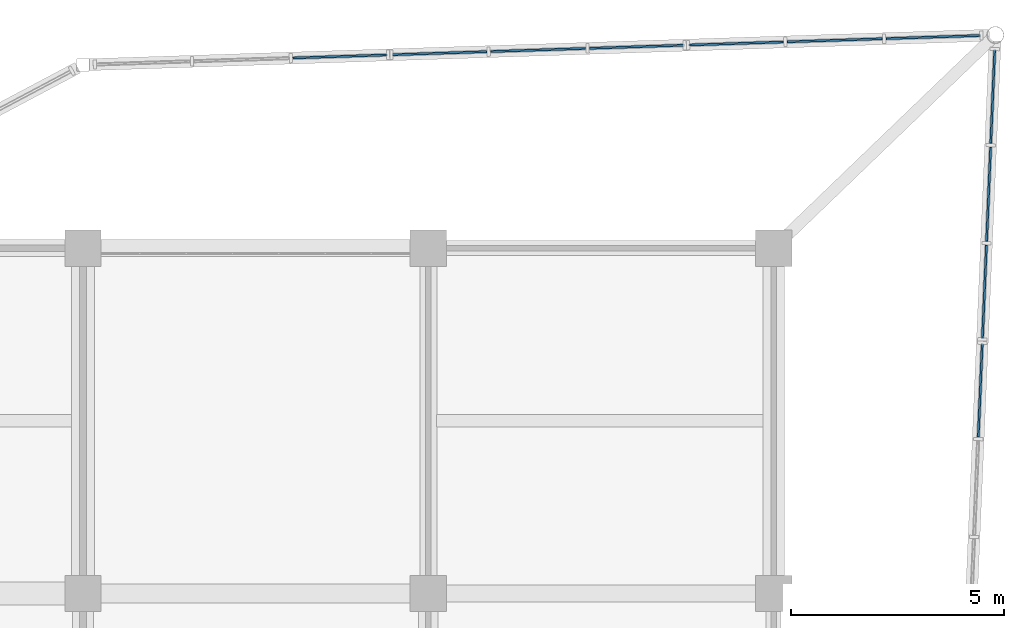
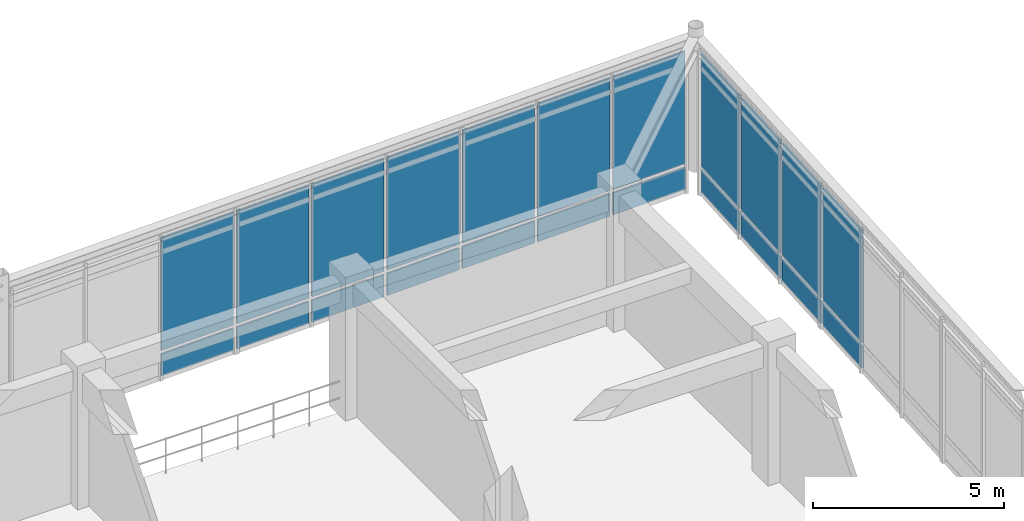
# One storey, part 58 of 93: 22 plates, 5 elements without a shape of their own.
"""IFC4 building model written with IfcOpenShell, lengths in metres."""

import ifcopenshell
import ifcopenshell.guid

model = None  # the IFC model being written
_history = None  # IfcOwnerHistory: only IFC2X3 demands one
_inside = {}  # id of a spatial element -> (the spatial element, [elements in it])
_under = {}  # id of a project, library or spatial element -> (it, [spatial elements below it])
_declared = {}  # id of a project -> (the project, [libraries it declares])
_typed = {}  # id of a type object -> (the type object, [elements of that type])
_made_of = {}  # id of a material, layer set ... -> (it, [elements and type objects made of it])


def new_model(schema):
    """Start an empty IFC model of exactly this schema.

    Asked for "IFC4X3", IfcOpenShell would pick the latest addendum, in which some entities
    have other attributes; the version numbers below select the first issue.
    IFC2X3 requires an IfcOwnerHistory on every rooted entity: one is made here for all.
    """
    global model, _history
    if schema == "IFC4X3":
        model = ifcopenshell.file(schema_version=(4, 3, 0, 0))
    else:
        model = ifcopenshell.file(schema=schema)
    _inside.clear()
    _under.clear()
    _declared.clear()
    _typed.clear()
    _made_of.clear()
    _history = None
    if model.schema == "IFC2X3":
        org = make("IfcOrganization", Name="unknown")
        user = make(
            "IfcPersonAndOrganization",
            ThePerson=make("IfcPerson", FamilyName="unknown"),
            TheOrganization=org,
        )
        app = make(
            "IfcApplication",
            ApplicationDeveloper=org,
            Version="unknown",
            ApplicationFullName="unknown",
            ApplicationIdentifier="unknown",
        )
        _history = make(
            "IfcOwnerHistory",
            OwningUser=user,
            OwningApplication=app,
            ChangeAction="ADDED",
            CreationDate=0,
        )
    return model


def make(cls, **values):
    """One entity of the class cls with the attributes given. An attribute that is None is left unset."""
    return model.create_entity(
        cls, **{name: value for name, value in values.items() if value is not None}
    )


def rooted(cls, **values):
    """An entity with a GlobalId (a new one), such as an element, a storey or a relation."""
    return make(cls, GlobalId=ifcopenshell.guid.new(), OwnerHistory=_history, **values)


def si_unit(unit_type, name, prefix=None):
    """IfcSIUnit, for example si_unit("LENGTHUNIT", "METRE", prefix="MILLI")."""
    return make("IfcSIUnit", UnitType=unit_type, Prefix=prefix, Name=name)


def assignment(units):
    """IfcUnitAssignment: the units of a project."""
    return None if units is None else make("IfcUnitAssignment", Units=units)


def point(xyz):
    """IfcCartesianPoint."""
    return None if xyz is None else make("IfcCartesianPoint", Coordinates=xyz)


def direction(xyz):
    """IfcDirection."""
    return None if xyz is None else make("IfcDirection", DirectionRatios=xyz)


def frame(location, z_axis=None, x_axis=None):
    """IfcAxis2Placement3D, a coordinate frame: its origin and axes. An axis left out is left unset."""
    return make(
        "IfcAxis2Placement3D",
        Location=point(location),
        Axis=direction(z_axis),
        RefDirection=direction(x_axis),
    )


def frame_2d(location, x_axis=None):
    """IfcAxis2Placement2D, a coordinate frame in the plane: its origin and x axis."""
    return make(
        "IfcAxis2Placement2D", Location=point(location), RefDirection=direction(x_axis)
    )


def origin():
    """The frame at (0, 0, 0) with its axes left unset."""
    return frame((0.0, 0.0, 0.0))


def origin_2d():
    """The frame at (0, 0) in the plane with its x axis left unset."""
    return frame_2d((0.0, 0.0))


def place(relative_to, where):
    """IfcLocalPlacement: puts the frame where relative to a parent placement (None: the world)."""
    return make(
        "IfcLocalPlacement", PlacementRelTo=relative_to, RelativePlacement=where
    )


def context(
    kind, dimensions, precision=None, world=None, true_north=None, identifier=None
):
    """IfcGeometricRepresentationContext, for example the 3D "Model" context."""
    return make(
        "IfcGeometricRepresentationContext",
        ContextIdentifier=identifier,
        ContextType=kind,
        CoordinateSpaceDimension=dimensions,
        Precision=precision,
        WorldCoordinateSystem=world,
        TrueNorth=true_north,
    )


def subcontext(parent, identifier, kind, view, scale=None):
    """IfcGeometricRepresentationSubContext, for example "Body" below "Model"."""
    return make(
        "IfcGeometricRepresentationSubContext",
        ContextIdentifier=identifier,
        ContextType=kind,
        ParentContext=parent,
        TargetScale=scale,
        TargetView=view,
    )


def project(units=None, contexts=None):
    """IfcProject with its units and contexts."""
    return rooted(
        "IfcProject",
        Name="project",
        RepresentationContexts=contexts,
        UnitsInContext=assignment(units),
    )


def spatial(cls, under=None, at=None, **own):
    """A site, building, storey or space (cls), placed at a placement, below another one or the project."""
    s = rooted(cls, ObjectPlacement=at, **own)
    if under is not None:
        _under.setdefault(under.id(), (under, []))[1].append(s)
    return s


def profile(cls, at=None, kind="AREA", **sizes):
    """A parametric profile (cls). Its sizes go by their IFC names, for example OverallWidth=200.0."""
    return make(cls, ProfileType=kind, Position=at, **sizes)


def rectangle(**sizes):
    """IfcRectangleProfileDef."""
    return profile("IfcRectangleProfileDef", **sizes)


def extrude(swept, where, along, depth):
    """IfcExtrudedAreaSolid: the profile swept, set in the frame where, extruded along a direction by depth."""
    return make(
        "IfcExtrudedAreaSolid",
        SweptArea=swept,
        Position=where,
        ExtrudedDirection=direction(along),
        Depth=depth,
    )


def shape(context_of_items, identifier, shape_type, items):
    """IfcShapeRepresentation: the items that make up one representation, for example the "Body"."""
    return make(
        "IfcShapeRepresentation",
        ContextOfItems=context_of_items,
        RepresentationIdentifier=identifier,
        RepresentationType=shape_type,
        Items=items,
    )


def material(Name=None, Category=None):
    """IfcMaterial."""
    return make("IfcMaterial", Name=Name, Category=Category)


def layer(
    of_material, thickness, ventilated=None, Name=None, Category=None, Priority=None
):
    """IfcMaterialLayer: one layer of a wall or slab, of a material (None: an air gap)."""
    return make(
        "IfcMaterialLayer",
        Material=of_material,
        LayerThickness=thickness,
        IsVentilated=ventilated,
        Name=Name,
        Category=Category,
        Priority=Priority,
    )


def layer_set(layers, Name=None):
    """IfcMaterialLayerSet."""
    return make("IfcMaterialLayerSet", MaterialLayers=layers, LayerSetName=Name)


def made_of(thing, what):
    """Note that an element or type object is made of a material, layer set ...; save() writes the relation."""
    if what is not None:
        _made_of.setdefault(what.id(), (what, []))[1].append(thing)
    return thing


def type_object(cls, material=None, **own):
    """A type object (cls), such as IfcWallType, which elements share."""
    return made_of(rooted(cls, **own), material)


def element(
    cls,
    number,
    at=None,
    inside=None,
    cuts=None,
    type_object=None,
    material=None,
    context=None,
    identifier="Body",
    shape_type=None,
    held_by="IfcProductDefinitionShape",
    body=None,
    shapes=None,
    **own,
):
    """One element of the class cls, such as IfcWall. Its Tag is "e" and its number.

    at: its placement. inside: the storey or other place that contains it. cuts: it is an
    opening in that element (IfcRelVoidsElement). A single representation is given by context,
    identifier, shape_type and body (its items); several are given by shapes. held_by: the class
    of the entity that holds the representations. save() writes the other relations.
    """
    e = rooted(cls, Tag="e%d" % number, ObjectPlacement=at, **own)
    if body is not None:
        shapes = [shape(context, identifier, shape_type, body)]
    if shapes is not None:
        e.Representation = make(held_by, Representations=shapes)
    if inside is not None:
        _inside.setdefault(inside.id(), (inside, []))[1].append(e)
    if cuts is not None:
        rooted(
            "IfcRelVoidsElement", RelatingBuildingElement=cuts, RelatedOpeningElement=e
        )
    if type_object is not None:
        _typed.setdefault(type_object.id(), (type_object, []))[1].append(e)
    return made_of(e, material)


def aggregate(whole, parts):
    """IfcRelAggregates: a whole, such as a stair, and the parts it consists of."""
    return rooted("IfcRelAggregates", RelatingObject=whole, RelatedObjects=parts)


def save(model, path):
    """Write the relations noted so far, then the file.

    IfcRelAggregates (storeys below a building ...), IfcRelContainedInSpatialStructure (elements
    in a storey), IfcRelDefinesByType, IfcRelAssociatesMaterial and IfcRelDeclares: one each for
    every whole, place, type object, material and project.
    """
    for whole, parts in _under.values():
        aggregate(whole, parts)
    for where, things in _inside.values():
        rooted(
            "IfcRelContainedInSpatialStructure",
            RelatedElements=things,
            RelatingStructure=where,
        )
    for kind, things in _typed.values():
        rooted("IfcRelDefinesByType", RelatedObjects=things, RelatingType=kind)
    for what, things in _made_of.values():
        rooted("IfcRelAssociatesMaterial", RelatedObjects=things, RelatingMaterial=what)
    for by, libraries in _declared.values():
        rooted("IfcRelDeclares", RelatingContext=by, RelatedDefinitions=libraries)
    model.write(path)


model = new_model("IFC4")

# Units and contexts
model_context = context("Model", 3, precision=1e-05, world=origin(), true_north=direction((0.0, 1.0)))
body_context = subcontext(model_context, "Body", "Model", "MODEL_VIEW")
ifc_project = project(units=[si_unit("LENGTHUNIT", "METRE"), si_unit("AREAUNIT", "SQUARE_METRE"), si_unit("VOLUMEUNIT", "CUBIC_METRE"), si_unit("PLANEANGLEUNIT", "RADIAN"), si_unit("MASSUNIT", "GRAM", prefix="KILO")], contexts=[model_context])

# Site, building, storey
site_placement = place(None, origin())
site = spatial("IfcSite", under=ifc_project, at=site_placement, CompositionType="ELEMENT")
building_placement = place(site_placement, origin())
building = spatial("IfcBuilding", under=site, at=building_placement, Name="Vaudrelin Polytechnic", CompositionType="ELEMENT")
storey_placement = place(building_placement, frame((0.0, 0.0, 5.10009765625)))
storey = spatial("IfcBuildingStorey", under=building, at=storey_placement, Name="L01", CompositionType="ELEMENT", Elevation=5.10009765625)

# Curtain wall, plate
ifc_material_1 = material(Name="Thermally broken anodised aluminium AA 6063-T6 and low-e triple glazing", Category="aluminium")
ifc_layer_1 = layer(ifc_material_1, 0.199951171875)
ifc_layer_set_1 = layer_set([ifc_layer_1], Name="Thermally broken anodised aluminium AA 6063-T6 and low-e triple glazing")
curtain_wall_type = type_object("IfcCurtainWallType", Name="CW-CW-LAB", PredefinedType="USERDEFINED", material=ifc_layer_set_1)
curtain_wall_1_placement = place(storey_placement, origin())
curtain_wall_1 = element("IfcCurtainWall", 1, at=curtain_wall_1_placement, inside=storey, type_object=curtain_wall_type, Name="Curtain wall L01 NEP_2_0", ObjectType="CURTAIN WALL", PredefinedType="USERDEFINED")
ifc_material_2 = material(Name="Insulated ceramic-frit spandrel glass panel", Category="glass")
ifc_layer_2 = layer(ifc_material_2, 0.052001953125)
ifc_layer_set_2 = layer_set([ifc_layer_2], Name="Insulated ceramic-frit spandrel glass panel")
plate_type_1 = type_object("IfcPlateType", Name="PLT-GLZ-SPAND", PredefinedType="CURTAIN_PANEL", material=ifc_layer_set_2)
plate_1_placement = place(storey_placement, frame((159.935791015625, 125.99755859375, -0.5400390625), z_axis=(0.0, 0.0, 1.0), x_axis=(0.999465454284, 0.032692593862, 0.0)))
plate_1 = element("IfcPlate", 2, at=plate_1_placement, type_object=plate_type_1, Name="NEP_2_0 spandrel panel 3", PredefinedType="CURTAIN_PANEL", context=body_context, shape_type="SweptSolid", body=[
    extrude(rectangle(XDim=2.220703125, YDim=0.052001953125, at=origin_2d()), origin(), (0.0, 0.0, 1.0), 0.699951171875),
])

# Curtain wall, plates
curtain_wall_2_placement = place(storey_placement, origin())
curtain_wall_2 = element("IfcCurtainWall", 3, at=curtain_wall_2_placement, inside=storey, type_object=curtain_wall_type, Name="Curtain wall L01 NEP_2_1", ObjectType="CURTAIN WALL", PredefinedType="USERDEFINED")
plate_2_placement = place(storey_placement, frame((162.25537109375, 126.0732421875, -0.5400390625), z_axis=(0.0, 0.0, 1.0), x_axis=(0.999465454284, 0.032692593862, 0.0)))
plate_2 = element("IfcPlate", 4, at=plate_2_placement, type_object=plate_type_1, Name="NEP_2_1 spandrel panel 1", PredefinedType="CURTAIN_PANEL", context=body_context, shape_type="SweptSolid", body=[
    extrude(rectangle(XDim=2.220703125, YDim=0.052001953125, at=origin_2d()), origin(), (0.0, 0.0, 1.0), 0.699951171875),
])
plate_3_placement = place(storey_placement, frame((164.57470703125, 126.149169921875, -0.5400390625), z_axis=(0.0, 0.0, 1.0), x_axis=(0.999465454284, 0.032692593862, 0.0)))
plate_3 = element("IfcPlate", 5, at=plate_3_placement, type_object=plate_type_1, Name="NEP_2_1 spandrel panel 2", PredefinedType="CURTAIN_PANEL", context=body_context, shape_type="SweptSolid", body=[
    extrude(rectangle(XDim=2.220703125, YDim=0.052001953125, at=origin_2d()), origin(), (0.0, 0.0, 1.0), 0.699951171875),
])
plate_4_placement = place(storey_placement, frame((166.89404296875, 126.22509765625, -0.5400390625), z_axis=(0.0, 0.0, 1.0), x_axis=(0.999465454284, 0.032692593862, 0.0)))
plate_4 = element("IfcPlate", 6, at=plate_4_placement, type_object=plate_type_1, Name="NEP_2_1 spandrel panel 3", PredefinedType="CURTAIN_PANEL", context=body_context, shape_type="SweptSolid", body=[
    extrude(rectangle(XDim=2.220703125, YDim=0.052001953125, at=origin_2d()), origin(), (0.0, 0.0, 1.0), 0.699951171875),
])

curtain_wall_3_placement = place(storey_placement, origin())
curtain_wall_3 = element("IfcCurtainWall", 7, at=curtain_wall_3_placement, inside=storey, type_object=curtain_wall_type, Name="Curtain wall L01 NEP_2_2", ObjectType="CURTAIN WALL", PredefinedType="USERDEFINED")
plate_5_placement = place(storey_placement, frame((169.21337890625, 126.30078125, -0.5400390625), z_axis=(0.0, 0.0, 1.0), x_axis=(0.999465454284, 0.032692593862, 0.0)))
plate_5 = element("IfcPlate", 8, at=plate_5_placement, type_object=plate_type_1, Name="NEP_2_2 spandrel panel 1", PredefinedType="CURTAIN_PANEL", context=body_context, shape_type="SweptSolid", body=[
    extrude(rectangle(XDim=2.220703125, YDim=0.052001953125, at=origin_2d()), origin(), (0.0, 0.0, 1.0), 0.699951171875),
])
plate_6_placement = place(storey_placement, frame((171.53271484375, 126.376708984375, -0.5400390625), z_axis=(0.0, 0.0, 1.0), x_axis=(0.999465454284, 0.032692593862, 0.0)))
plate_6 = element("IfcPlate", 9, at=plate_6_placement, type_object=plate_type_1, Name="NEP_2_2 spandrel panel 2", PredefinedType="CURTAIN_PANEL", context=body_context, shape_type="SweptSolid", body=[
    extrude(rectangle(XDim=2.220703125, YDim=0.052001953125, at=origin_2d()), origin(), (0.0, 0.0, 1.0), 0.699951171875),
])
plate_7_placement = place(storey_placement, frame((173.85205078125, 126.45263671875, -0.5400390625), z_axis=(0.0, 0.0, 1.0), x_axis=(0.999465454284, 0.032692593862, 0.0)))
plate_7 = element("IfcPlate", 10, at=plate_7_placement, type_object=plate_type_1, Name="NEP_2_2 spandrel panel 3", PredefinedType="CURTAIN_PANEL", context=body_context, shape_type="SweptSolid", body=[
    extrude(rectangle(XDim=2.220703125, YDim=0.052001953125, at=origin_2d()), origin(), (0.0, 0.0, 1.0), 0.699951171875),
])

curtain_wall_4_placement = place(storey_placement, origin())
curtain_wall_4 = element("IfcCurtainWall", 11, at=curtain_wall_4_placement, inside=storey, type_object=curtain_wall_type, Name="Curtain wall L01 NEP_3_0", ObjectType="CURTAIN WALL", PredefinedType="USERDEFINED")
plate_8_placement = place(storey_placement, frame((175.239013671875, 125.063232421875, -0.5400390625), z_axis=(0.0, 0.0, 1.0), x_axis=(-0.042419882824, -0.999099871655, 0.0)))
plate_8 = element("IfcPlate", 12, at=plate_8_placement, type_object=plate_type_1, Name="NEP_3_0 spandrel panel 1", PredefinedType="CURTAIN_PANEL", context=body_context, shape_type="SweptSolid", body=[
    extrude(rectangle(XDim=2.19921875, YDim=0.052001953125, at=origin_2d()), origin(), (0.0, 0.0, 1.0), 0.699951171875),
])
plate_9_placement = place(storey_placement, frame((175.1416015625, 122.76611328125, -0.5400390625), z_axis=(0.0, 0.0, 1.0), x_axis=(-0.042419882824, -0.999099871655, 0.0)))
plate_9 = element("IfcPlate", 13, at=plate_9_placement, type_object=plate_type_1, Name="NEP_3_0 spandrel panel 2", PredefinedType="CURTAIN_PANEL", context=body_context, shape_type="SweptSolid", body=[
    extrude(rectangle(XDim=2.19921875, YDim=0.052001953125, at=origin_2d()), origin(), (0.0, 0.0, 1.0), 0.699951171875),
])
plate_10_placement = place(storey_placement, frame((175.0439453125, 120.468994140625, -0.5400390625), z_axis=(0.0, 0.0, 1.0), x_axis=(-0.042419882824, -0.999099871655, 0.0)))
plate_10 = element("IfcPlate", 14, at=plate_10_placement, type_object=plate_type_1, Name="NEP_3_0 spandrel panel 3", PredefinedType="CURTAIN_PANEL", context=body_context, shape_type="SweptSolid", body=[
    extrude(rectangle(XDim=2.19921875, YDim=0.052001953125, at=origin_2d()), origin(), (0.0, 0.0, 1.0), 0.699951171875),
])

# Curtain wall, plate
curtain_wall_5_placement = place(storey_placement, origin())
curtain_wall_5 = element("IfcCurtainWall", 15, at=curtain_wall_5_placement, inside=storey, type_object=curtain_wall_type, Name="Curtain wall L01 NEP_3_1", ObjectType="CURTAIN WALL", PredefinedType="USERDEFINED")
plate_11_placement = place(storey_placement, frame((174.9462890625, 118.171875, -0.5400390625), z_axis=(0.0, 0.0, 1.0), x_axis=(-0.042405411318, -0.999100485983, 0.0)))
plate_11 = element("IfcPlate", 16, at=plate_11_placement, type_object=plate_type_1, Name="NEP_3_1 spandrel panel 1", PredefinedType="CURTAIN_PANEL", context=body_context, shape_type="SweptSolid", body=[
    extrude(rectangle(XDim=2.19921875, YDim=0.052001953125, at=origin_2d()), origin(), (0.0, 0.0, 1.0), 0.699951171875),
])

# Plate
ifc_material_3 = material(Name="Triple low-e argon insulated glazing unit", Category="glass")
ifc_layer_3 = layer(ifc_material_3, 0.0439453125)
ifc_layer_set_3 = layer_set([ifc_layer_3], Name="Triple low-e argon insulated glazing unit")
plate_type_2 = type_object("IfcPlateType", Name="PLT-GLZ-TRIPLE", PredefinedType="CURTAIN_PANEL", material=ifc_layer_set_3)
plate_12_placement = place(storey_placement, frame((159.935791015625, 125.99755859375, 0.27001953125), z_axis=(0.0, 0.0, 1.0), x_axis=(0.999465454284, 0.032692593862, 0.0)))
plate_12 = element("IfcPlate", 17, at=plate_12_placement, type_object=plate_type_2, Name="NEP_2_0 vision panel 3", PredefinedType="CURTAIN_PANEL", context=body_context, shape_type="SweptSolid", body=[
    extrude(rectangle(XDim=2.220703125, YDim=0.0439453125, at=origin_2d()), origin(), (0.0, 0.0, 1.0), 3.610107421875),
])

aggregate(curtain_wall_1, [plate_1, plate_12])

plate_13_placement = place(storey_placement, frame((162.25537109375, 126.0732421875, 0.27001953125), z_axis=(0.0, 0.0, 1.0), x_axis=(0.999465454284, 0.032692593862, 0.0)))
plate_13 = element("IfcPlate", 18, at=plate_13_placement, type_object=plate_type_2, Name="NEP_2_1 vision panel 1", PredefinedType="CURTAIN_PANEL", context=body_context, shape_type="SweptSolid", body=[
    extrude(rectangle(XDim=2.220703125, YDim=0.0439453125, at=origin_2d()), origin(), (0.0, 0.0, 1.0), 3.610107421875),
])

plate_14_placement = place(storey_placement, frame((164.57470703125, 126.149169921875, 0.27001953125), z_axis=(0.0, 0.0, 1.0), x_axis=(0.999465454284, 0.032692593862, 0.0)))
plate_14 = element("IfcPlate", 19, at=plate_14_placement, type_object=plate_type_2, Name="NEP_2_1 vision panel 2", PredefinedType="CURTAIN_PANEL", context=body_context, shape_type="SweptSolid", body=[
    extrude(rectangle(XDim=2.220703125, YDim=0.0439453125, at=origin_2d()), origin(), (0.0, 0.0, 1.0), 3.610107421875),
])

plate_15_placement = place(storey_placement, frame((166.89404296875, 126.22509765625, 0.27001953125), z_axis=(0.0, 0.0, 1.0), x_axis=(0.999465454284, 0.032692593862, 0.0)))
plate_15 = element("IfcPlate", 20, at=plate_15_placement, type_object=plate_type_2, Name="NEP_2_1 vision panel 3", PredefinedType="CURTAIN_PANEL", context=body_context, shape_type="SweptSolid", body=[
    extrude(rectangle(XDim=2.220703125, YDim=0.0439453125, at=origin_2d()), origin(), (0.0, 0.0, 1.0), 3.610107421875),
])

aggregate(curtain_wall_2, [plate_2, plate_13, plate_3, plate_14, plate_4, plate_15])

plate_16_placement = place(storey_placement, frame((169.21337890625, 126.30078125, 0.27001953125), z_axis=(0.0, 0.0, 1.0), x_axis=(0.999465454284, 0.032692593862, 0.0)))
plate_16 = element("IfcPlate", 21, at=plate_16_placement, type_object=plate_type_2, Name="NEP_2_2 vision panel 1", PredefinedType="CURTAIN_PANEL", context=body_context, shape_type="SweptSolid", body=[
    extrude(rectangle(XDim=2.220703125, YDim=0.0439453125, at=origin_2d()), origin(), (0.0, 0.0, 1.0), 3.610107421875),
])

plate_17_placement = place(storey_placement, frame((171.53271484375, 126.376708984375, 0.27001953125), z_axis=(0.0, 0.0, 1.0), x_axis=(0.999465454284, 0.032692593862, 0.0)))
plate_17 = element("IfcPlate", 22, at=plate_17_placement, type_object=plate_type_2, Name="NEP_2_2 vision panel 2", PredefinedType="CURTAIN_PANEL", context=body_context, shape_type="SweptSolid", body=[
    extrude(rectangle(XDim=2.220703125, YDim=0.0439453125, at=origin_2d()), origin(), (0.0, 0.0, 1.0), 3.610107421875),
])

plate_18_placement = place(storey_placement, frame((173.85205078125, 126.45263671875, 0.27001953125), z_axis=(0.0, 0.0, 1.0), x_axis=(0.999465454284, 0.032692593862, 0.0)))
plate_18 = element("IfcPlate", 23, at=plate_18_placement, type_object=plate_type_2, Name="NEP_2_2 vision panel 3", PredefinedType="CURTAIN_PANEL", context=body_context, shape_type="SweptSolid", body=[
    extrude(rectangle(XDim=2.220703125, YDim=0.0439453125, at=origin_2d()), origin(), (0.0, 0.0, 1.0), 3.610107421875),
])

aggregate(curtain_wall_3, [plate_5, plate_16, plate_6, plate_17, plate_7, plate_18])

plate_19_placement = place(storey_placement, frame((175.239013671875, 125.063232421875, 0.27001953125), z_axis=(0.0, 0.0, 1.0), x_axis=(-0.042419882824, -0.999099871655, 0.0)))
plate_19 = element("IfcPlate", 24, at=plate_19_placement, type_object=plate_type_2, Name="NEP_3_0 vision panel 1", PredefinedType="CURTAIN_PANEL", context=body_context, shape_type="SweptSolid", body=[
    extrude(rectangle(XDim=2.19921875, YDim=0.0439453125, at=origin_2d()), origin(), (0.0, 0.0, 1.0), 3.610107421875),
])

plate_20_placement = place(storey_placement, frame((175.1416015625, 122.76611328125, 0.27001953125), z_axis=(0.0, 0.0, 1.0), x_axis=(-0.042419882824, -0.999099871655, 0.0)))
plate_20 = element("IfcPlate", 25, at=plate_20_placement, type_object=plate_type_2, Name="NEP_3_0 vision panel 2", PredefinedType="CURTAIN_PANEL", context=body_context, shape_type="SweptSolid", body=[
    extrude(rectangle(XDim=2.19921875, YDim=0.0439453125, at=origin_2d()), origin(), (0.0, 0.0, 1.0), 3.610107421875),
])

plate_21_placement = place(storey_placement, frame((175.0439453125, 120.468994140625, 0.27001953125), z_axis=(0.0, 0.0, 1.0), x_axis=(-0.042419882824, -0.999099871655, 0.0)))
plate_21 = element("IfcPlate", 26, at=plate_21_placement, type_object=plate_type_2, Name="NEP_3_0 vision panel 3", PredefinedType="CURTAIN_PANEL", context=body_context, shape_type="SweptSolid", body=[
    extrude(rectangle(XDim=2.19921875, YDim=0.0439453125, at=origin_2d()), origin(), (0.0, 0.0, 1.0), 3.610107421875),
])

aggregate(curtain_wall_4, [plate_8, plate_19, plate_9, plate_20, plate_10, plate_21])

plate_22_placement = place(storey_placement, frame((174.9462890625, 118.171875, 0.27001953125), z_axis=(0.0, 0.0, 1.0), x_axis=(-0.042405411318, -0.999100485983, 0.0)))
plate_22 = element("IfcPlate", 27, at=plate_22_placement, type_object=plate_type_2, Name="NEP_3_1 vision panel 1", PredefinedType="CURTAIN_PANEL", context=body_context, shape_type="SweptSolid", body=[
    extrude(rectangle(XDim=2.19921875, YDim=0.0439453125, at=origin_2d()), origin(), (0.0, 0.0, 1.0), 3.610107421875),
])

aggregate(curtain_wall_5, [plate_11, plate_22])

save(model, "model.ifc")
